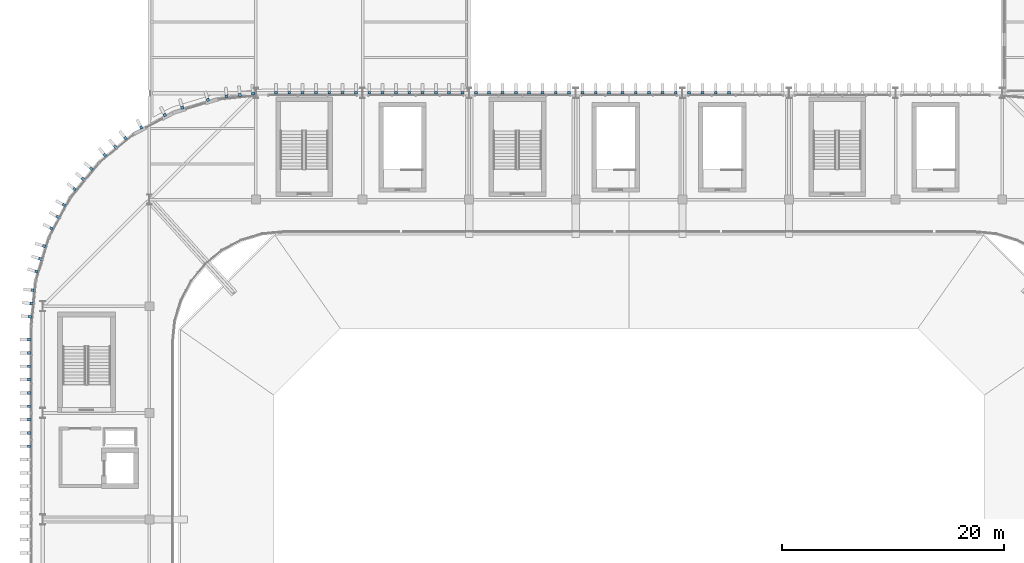
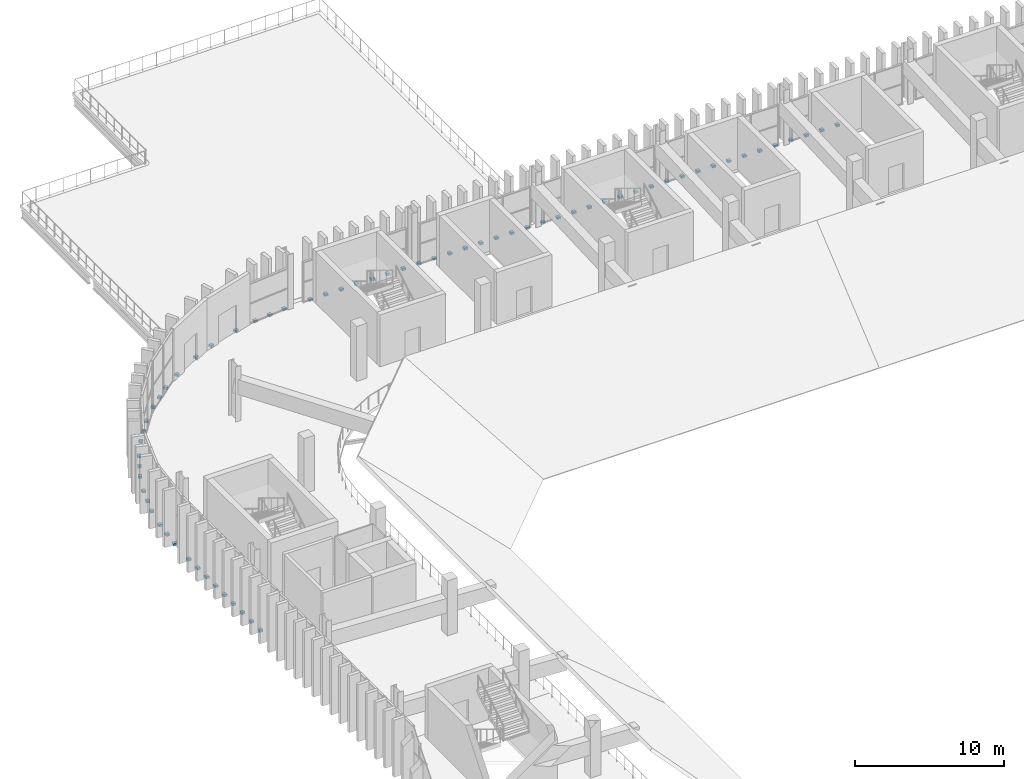
# One storey, part 52 of 69: 66 discrete accessories.
"""IFC4 building model written with IfcOpenShell, lengths in metres."""

from ifc_helpers import new_model, si_unit, direction, frame, origin, origin_2d, place, context, subcontext, project, spatial, rectangle, extrude, material, type_object, element, save


model = new_model("IFC4")

# Units and contexts
model_context = context("Model", 3, precision=1e-05, world=origin(), true_north=direction((0.0, 1.0)))
body_context = subcontext(model_context, "Body", "Model", "MODEL_VIEW")
ifc_project = project(units=[si_unit("LENGTHUNIT", "METRE"), si_unit("AREAUNIT", "SQUARE_METRE"), si_unit("VOLUMEUNIT", "CUBIC_METRE"), si_unit("PLANEANGLEUNIT", "RADIAN"), si_unit("MASSUNIT", "GRAM", prefix="KILO")], contexts=[model_context])

# Site, building, storey
site_placement = place(None, origin())
site = spatial("IfcSite", under=ifc_project, at=site_placement, CompositionType="ELEMENT")
building_placement = place(site_placement, origin())
building = spatial("IfcBuilding", under=site, at=building_placement, Name="Caelomonte Colonnade Arena", CompositionType="ELEMENT")
storey_placement = place(building_placement, frame((0.0, 0.0, 18.60009765625)))
storey = spatial("IfcBuildingStorey", under=building, at=storey_placement, Name="L04", CompositionType="ELEMENT", Elevation=18.60009765625)

# Discrete accessories
ifc_material = material(Name="Steel ASTM A572 Grade 50", Category="steel")
discrete_accessory_type = type_object("IfcDiscreteAccessoryType", Name="ENV-ACC-BRK", PredefinedType="BRACKET", material=ifc_material)
for number, where, z_axis, x_axis, name in (
    (1, (119.39990234375, 115.22998046875, -0.2099609375), (0.0, 0.0, 1.0), (-1.0, 0.0, 0.0), "V1 L04 fin support bracket 112"),
    (2, (118.199951171875, 115.22998046875, -0.2099609375), (0.0, 0.0, 1.0), (-1.0, 0.0, 0.0), "V1 L04 fin support bracket 113"),
    (3, (117.0, 115.22998046875, -0.2099609375), (0.0, 0.0, 1.0), (-1.0, 0.0, 0.0), "V1 L04 fin support bracket 114"),
    (4, (115.800048828125, 115.22998046875, -0.2099609375), (0.0, 0.0, 1.0), (-1.0, 0.0, 0.0), "V1 L04 fin support bracket 115"),
    (5, (114.60009765625, 115.22998046875, -0.2099609375), (0.0, 0.0, 1.0), (-1.0, 0.0, 0.0), "V1 L04 fin support bracket 116"),
    (6, (113.39990234375, 115.22998046875, -0.2099609375), (0.0, 0.0, 1.0), (-1.0, 0.0, 0.0), "V1 L04 fin support bracket 117"),
    (7, (112.199951171875, 115.22998046875, -0.2099609375), (0.0, 0.0, 1.0), (-1.0, 0.0, 0.0), "V1 L04 fin support bracket 118"),
    (8, (111.0, 115.22998046875, -0.2099609375), (0.0, 0.0, 1.0), (-1.0, 0.0, 0.0), "V1 L04 fin support bracket 119"),
    (9, (109.800048828125, 115.22998046875, -0.2099609375), (0.0, 0.0, 1.0), (-1.0, 0.0, 0.0), "V1 L04 fin support bracket 120"),
    (10, (108.60009765625, 115.22998046875, -0.2099609375), (0.0, 0.0, 1.0), (-1.0, 0.0, 0.0), "V1 L04 fin support bracket 121"),
    (11, (107.39990234375, 115.22998046875, -0.2099609375), (0.0, 0.0, 1.0), (-1.0, 0.0, 0.0), "V1 L04 fin support bracket 122"),
    (12, (106.199951171875, 115.22998046875, -0.2099609375), (0.0, 0.0, 1.0), (-1.0, 0.0, 0.0), "V1 L04 fin support bracket 123"),
    (13, (105.0, 115.22998046875, -0.2099609375), (0.0, 0.0, 1.0), (-1.0, 0.0, 0.0), "V1 L04 fin support bracket 124"),
    (14, (103.800048828125, 115.22998046875, -0.2099609375), (0.0, 0.0, 1.0), (-1.0, 0.0, 0.0), "V1 L04 fin support bracket 125"),
    (15, (102.60009765625, 115.22998046875, -0.2099609375), (0.0, 0.0, 1.0), (-1.0, 0.0, 0.0), "V1 L04 fin support bracket 126"),
    (16, (101.39990234375, 115.22998046875, -0.2099609375), (0.0, 0.0, 1.0), (-1.0, 0.0, 0.0), "V1 L04 fin support bracket 127"),
    (17, (100.199951171875, 115.22998046875, -0.2099609375), (0.0, 0.0, 1.0), (-1.0, 0.0, 0.0), "V1 L04 fin support bracket 128"),
    (18, (99.0, 115.22998046875, -0.2099609375), (0.0, 0.0, 1.0), (-1.0, 0.0, 0.0), "V1 L04 fin support bracket 129"),
    (19, (97.800048828125, 115.22998046875, -0.2099609375), (0.0, 0.0, 1.0), (-1.0, 0.0, 0.0), "V1 L04 fin support bracket 130"),
    (20, (96.60009765625, 115.22998046875, -0.2099609375), (0.0, 0.0, 1.0), (-1.0, 0.0, 0.0), "V1 L04 fin support bracket 131"),
    (21, (95.39990234375, 115.22998046875, -0.2099609375), (0.0, 0.0, 1.0), (-1.0, 0.0, 0.0), "V1 L04 fin support bracket 132"),
    (22, (94.199951171875, 115.22998046875, -0.2099609375), (0.0, 0.0, 1.0), (-1.0, 0.0, 0.0), "V1 L04 fin support bracket 133"),
    (23, (93.0, 115.22998046875, -0.2099609375), (0.0, 0.0, 1.0), (-1.0, 0.0, 0.0), "V1 L04 fin support bracket 134"),
    (24, (91.800048828125, 115.22998046875, -0.2099609375), (0.0, 0.0, 1.0), (-1.0, 0.0, 0.0), "V1 L04 fin support bracket 135"),
    (25, (90.60009765625, 115.22998046875, -0.2099609375), (0.0, 0.0, 1.0), (-1.0, 0.0, 0.0), "V1 L04 fin support bracket 136"),
    (26, (89.39990234375, 115.22998046875, -0.2099609375), (0.0, 0.0, 1.0), (-1.0, 0.0, 0.0), "V1 L04 fin support bracket 137"),
    (27, (88.199951171875, 115.22998046875, -0.2099609375), (0.0, 0.0, 1.0), (-1.0, 0.0, 0.0), "V1 L04 fin support bracket 138"),
    (28, (87.0, 115.22998046875, -0.2099609375), (0.0, 0.0, 1.0), (-1.0, 0.0, 0.0), "V1 L04 fin support bracket 139"),
    (29, (85.800048828125, 115.22998046875, -0.2099609375), (0.0, 0.0, 1.0), (-1.0, 0.0, 0.0), "V1 L04 fin support bracket 140"),
    (30, (84.60009765625, 115.22998046875, -0.2099609375), (0.0, 0.0, 1.0), (-1.0, 0.0, 0.0), "V1 L04 fin support bracket 141"),
    (31, (83.39990234375, 115.22998046875, -0.2099609375), (0.0, 0.0, 1.0), (-1.0, 0.0, 0.0), "V1 L04 fin support bracket 142"),
    (32, (82.199951171875, 115.22998046875, -0.2099609375), (0.0, 0.0, 1.0), (-1.0, 0.0, 0.0), "V1 L04 fin support bracket 143"),
    (33, (81.0, 115.22998046875, -0.2099609375), (0.0, 0.0, 1.0), (-1.0, 0.0, 0.0), "V1 L04 fin support bracket 144"),
    (34, (79.800048828125, 115.22998046875, -0.2099609375), (0.0, 0.0, 1.0), (-1.0, 0.0, 0.0), "V1 L04 fin support bracket 145"),
    (35, (78.60009765625, 115.22998046875, -0.2099609375), (0.0, 0.0, 1.0), (-1.0, 0.0, 0.0), "V1 L04 fin support bracket 146"),
    (36, (76.542724609375, 115.145751953125, -0.2099609375), (0.0, 0.0, 1.0), (-0.995184897743, -0.098015403404, 0.0), "V1 L04 fin support bracket 147"),
    (37, (75.3486328125, 115.028076171875, -0.2099609375), (0.0, 0.0, 1.0), (-0.995184897743, -0.098015403404, 0.0), "V1 L04 fin support bracket 148"),
    (38, (74.154296875, 114.910400390625, -0.2099609375), (0.0, 0.0, 1.0), (-0.995184897743, -0.098015403404, 0.0), "V1 L04 fin support bracket 149"),
    (39, (72.472900390625, 114.575927734375, -0.2099609375), (0.0, 0.0, 1.0), (-0.956942868907, -0.290276326364, 0.0), "V1 L04 fin support bracket 150"),
    (40, (70.17626953125, 113.87939453125, -0.2099609375), (0.0, 0.0, 1.0), (-0.956942868907, -0.290276326364, 0.0), "V1 L04 fin support bracket 152"),
    (41, (68.592529296875, 113.223388671875, -0.2099609375), (0.0, 0.0, 1.0), (-0.881921264348, -0.471396736826, 0.0), "V1 L04 fin support bracket 153"),
    (42, (66.475830078125, 112.092041015625, -0.2099609375), (0.0, 0.0, 1.0), (-0.881921264348, -0.471396736826, 0.0), "V1 L04 fin support bracket 155"),
    (43, (65.050537109375, 111.139404296875, -0.2099609375), (0.0, 0.0, 1.0), (-0.77299384472, -0.634413521313, 0.0), "V1 L04 fin support bracket 156"),
    (44, (64.122802734375, 110.378173828125, -0.2099609375), (0.0, 0.0, 1.0), (-0.77299384472, -0.634413521313, 0.0), "V1 L04 fin support bracket 157"),
    (45, (63.1953125, 109.616943359375, -0.2099609375), (0.0, 0.0, 1.0), (-0.77299384472, -0.634413521313, 0.0), "V1 L04 fin support bracket 158"),
    (46, (61.983154296875, 108.40478515625, -0.2099609375), (0.0, 0.0, 1.0), (-0.634413521313, -0.77299384472, 0.0), "V1 L04 fin support bracket 159"),
    (47, (61.2216796875, 107.47705078125, -0.2099609375), (0.0, 0.0, 1.0), (-0.634413521313, -0.77299384472, 0.0), "V1 L04 fin support bracket 160"),
    (48, (60.46044921875, 106.549560546875, -0.2099609375), (0.0, 0.0, 1.0), (-0.634413521313, -0.77299384472, 0.0), "V1 L04 fin support bracket 161"),
    (49, (59.508056640625, 105.1240234375, -0.2099609375), (0.0, 0.0, 1.0), (-0.471396736826, -0.881921264348, 0.0), "V1 L04 fin support bracket 162"),
    (50, (58.9423828125, 104.06591796875, -0.2099609375), (0.0, 0.0, 1.0), (-0.471396736826, -0.881921264348, 0.0), "V1 L04 fin support bracket 163"),
    (51, (58.376708984375, 103.007568359375, -0.2099609375), (0.0, 0.0, 1.0), (-0.471396736826, -0.881921264348, 0.0), "V1 L04 fin support bracket 164"),
    (52, (57.720703125, 101.423583984375, -0.2099609375), (0.0, 0.0, 1.0), (-0.290276326364, -0.956942868907, 0.0), "V1 L04 fin support bracket 165"),
    (53, (57.372314453125, 100.275390625, -0.2099609375), (0.0, 0.0, 1.0), (-0.290276326364, -0.956942868907, 0.0), "V1 L04 fin support bracket 166"),
    (54, (57.02392578125, 99.126953125, -0.2099609375), (0.0, 0.0, 1.0), (-0.290276326364, -0.956942868907, 0.0), "V1 L04 fin support bracket 167"),
    (55, (56.689453125, 97.445556640625, -0.2099609375), (0.0, 0.0, 1.0), (-0.098015403404, -0.995184897743, 0.0), "V1 L04 fin support bracket 168"),
    (56, (56.572021484375, 96.25146484375, -0.2099609375), (0.0, 0.0, 1.0), (-0.098015403404, -0.995184897743, 0.0), "V1 L04 fin support bracket 169"),
    (57, (56.454345703125, 95.05712890625, -0.2099609375), (0.0, 0.0, 1.0), (-0.098015403404, -0.995184897743, 0.0), "V1 L04 fin support bracket 170"),
    (58, (56.3701171875, 93.0, -0.2099609375), (0.0, 0.0, 1.0), (0.0, -1.0, 0.0), "V1 L04 fin support bracket 171"),
    (59, (56.3701171875, 91.800048828125, -0.2099609375), (0.0, 0.0, 1.0), (0.0, -1.0, 0.0), "V1 L04 fin support bracket 172"),
    (60, (56.3701171875, 90.60009765625, -0.2099609375), (0.0, 0.0, 1.0), (0.0, -1.0, 0.0), "V1 L04 fin support bracket 173"),
    (61, (56.3701171875, 89.39990234375, -0.2099609375), (0.0, 0.0, 1.0), (0.0, -1.0, 0.0), "V1 L04 fin support bracket 174"),
    (62, (56.3701171875, 88.199951171875, -0.2099609375), (0.0, 0.0, 1.0), (0.0, -1.0, 0.0), "V1 L04 fin support bracket 175"),
    (63, (56.3701171875, 87.0, -0.2099609375), (0.0, 0.0, 1.0), (0.0, -1.0, 0.0), "V1 L04 fin support bracket 176"),
    (64, (56.3701171875, 85.800048828125, -0.2099609375), (0.0, 0.0, 1.0), (0.0, -1.0, 0.0), "V1 L04 fin support bracket 177"),
    (65, (56.3701171875, 84.60009765625, -0.2099609375), (0.0, 0.0, 1.0), (0.0, -1.0, 0.0), "V1 L04 fin support bracket 178"),
    (66, (56.3701171875, 83.39990234375, -0.2099609375), (0.0, 0.0, 1.0), (0.0, -1.0, 0.0), "V1 L04 fin support bracket 179"),
):
    element("IfcDiscreteAccessory", number, at=place(storey_placement, frame(where, z_axis=z_axis, x_axis=x_axis)), inside=storey, type_object=discrete_accessory_type, Name=name, PredefinedType="BRACKET", context=body_context, shape_type="SweptSolid", body=[
        extrude(rectangle(XDim=0.260009765625, YDim=0.260009765625, at=origin_2d()), origin(), (0.0, 0.0, 1.0), 0.179931640625),
    ])

save(model, "model.ifc")
